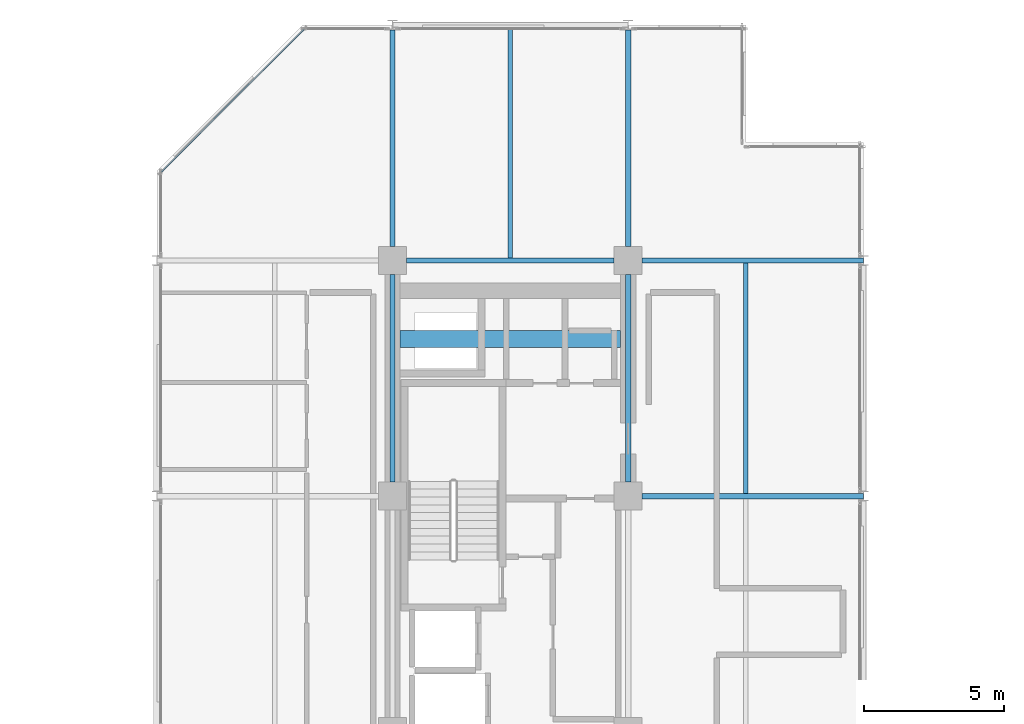
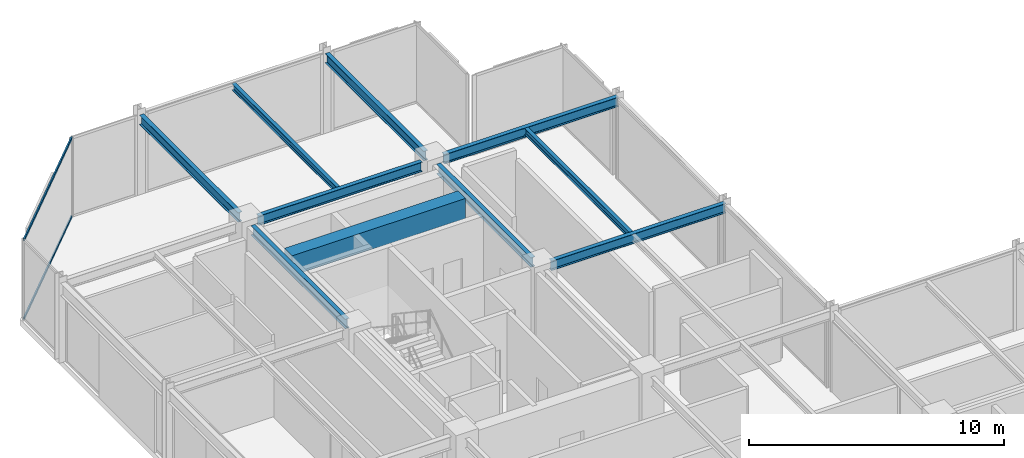
# One storey, part 18 of 29: 10 beams, 2 members, 1 element without a shape of its own.
"""IFC4 building model written with IfcOpenShell, lengths in metres."""

from ifc_helpers import new_model, si_unit, direction, frame, origin, origin_2d, place, context, subcontext, project, spatial, rectangle, hollow_rectangle, i_section, extrude, material, layer, layer_set, material_profile, profile_set, type_object, element, aggregate, save


model = new_model("IFC4")

# Units and contexts
model_context = context("Model", 3, precision=1e-05, world=origin(), true_north=direction((0.0, 1.0)))
body_context = subcontext(model_context, "Body", "Model", "MODEL_VIEW")
ifc_project = project(units=[si_unit("LENGTHUNIT", "METRE"), si_unit("AREAUNIT", "SQUARE_METRE"), si_unit("VOLUMEUNIT", "CUBIC_METRE"), si_unit("PLANEANGLEUNIT", "RADIAN"), si_unit("MASSUNIT", "GRAM", prefix="KILO")], contexts=[model_context])

# Site, building, storey
site_placement = place(None, origin())
site = spatial("IfcSite", under=ifc_project, at=site_placement, CompositionType="ELEMENT")
building_placement = place(site_placement, origin())
building = spatial("IfcBuilding", under=site, at=building_placement, Name="Nerrivon Quay Data Exchange", CompositionType="ELEMENT")
storey_placement = place(building_placement, frame((0.0, 0.0, 183.699951171875)))
storey = spatial("IfcBuildingStorey", under=building, at=storey_placement, Name="L43", CompositionType="ELEMENT", Elevation=183.699951171875)

# Beams
ifc_material_1 = material(Name="Concrete N50 (50 MPa)", Category="concrete")
ifc_material_profile_1 = material_profile(ifc_material_1, rectangle(XDim=0.60009765625, YDim=0.949951171875, at=origin_2d()), Name="RC-CB-600x950")
ifc_profile_set_1 = profile_set([ifc_material_profile_1], Name="Concrete N50 (50 MPa)")
beam_type_1 = type_object("IfcBeamType", Name="BM-CB2-600x950", PredefinedType="LINTEL", material=ifc_profile_set_1)
beam_1_placement = place(storey_placement, frame((8.675048828125, 39.199951171875, 3.35009765625), z_axis=(1.0, 0.0, 0.0), x_axis=(0.0, 1.0, 0.0)))
element("IfcBeam", 1, at=beam_1_placement, inside=storey, type_object=beam_type_1, Name="L43 West Core Coupling Beam", PredefinedType="LINTEL", context=body_context, shape_type="SweptSolid", body=[
    extrude(rectangle(XDim=0.60009765625, YDim=0.949951171875, at=origin_2d()), origin(), (0.0, 0.0, 1.0), 7.849853515625),
])
ifc_material_2 = material(Name="Steel Grade 350", Category="steel")
ifc_material_profile_2 = material_profile(ifc_material_2, i_section(OverallWidth=0.19091796875, OverallDepth=0.4599609375, WebThickness=0.010009765625, FlangeThickness=0.01611328125, FilletRadius=0.011474609375, at=origin_2d()), Name="460UB82.1")
ifc_profile_set_2 = profile_set([ifc_material_profile_2], Name="Steel Grade 350")
beam_type_2 = type_object("IfcBeamType", Name="BM-G5-460UB82", PredefinedType="BEAM", material=ifc_profile_set_2)
beam_2_placement = place(storey_placement, frame((17.300048828125, 33.60009765625, 3.594970703125), z_axis=(1.0, 0.0, 0.0), x_axis=(0.0, 1.0, 0.0)))
element("IfcBeam", 2, at=beam_2_placement, inside=storey, type_object=beam_type_2, Name="L43 EW Girder Y=33.6 (16.8..25.2)", PredefinedType="BEAM", context=body_context, shape_type="SweptSolid", body=[
    extrude(i_section(OverallWidth=0.19091796875, OverallDepth=0.4599609375, WebThickness=0.010009765625, FlangeThickness=0.01611328125, FilletRadius=0.011474609375, at=origin_2d()), origin(), (0.0, 0.0, 1.0), 7.889892578125),
])
beam_3_placement = place(storey_placement, frame((8.89990234375, 42.0, 3.594970703125), z_axis=(1.0, 0.0, 0.0), x_axis=(0.0, 1.0, 0.0)))
element("IfcBeam", 3, at=beam_3_placement, inside=storey, type_object=beam_type_2, Name="L43 EW Girder Y=42.0 (8.4..16.8)", PredefinedType="BEAM", context=body_context, shape_type="SweptSolid", body=[
    extrude(i_section(OverallWidth=0.19091796875, OverallDepth=0.4599609375, WebThickness=0.010009765625, FlangeThickness=0.01611328125, FilletRadius=0.011474609375, at=origin_2d()), origin(), (0.0, 0.0, 1.0), 7.400146484375),
])
beam_4_placement = place(storey_placement, frame((17.300048828125, 42.0, 3.594970703125), z_axis=(1.0, 0.0, 0.0), x_axis=(0.0, 1.0, 0.0)))
element("IfcBeam", 4, at=beam_4_placement, inside=storey, type_object=beam_type_2, Name="L43 EW Girder Y=42.0 (16.8..25.2)", PredefinedType="BEAM", context=body_context, shape_type="SweptSolid", body=[
    extrude(i_section(OverallWidth=0.19091796875, OverallDepth=0.4599609375, WebThickness=0.010009765625, FlangeThickness=0.01611328125, FilletRadius=0.011474609375, at=origin_2d()), origin(), (0.0, 0.0, 1.0), 7.889892578125),
])
ifc_material_profile_3 = material_profile(ifc_material_2, i_section(OverallWidth=0.18994140625, OverallDepth=0.4541015625, WebThickness=0.008544921875, FlangeThickness=0.0126953125, FilletRadius=0.011474609375, at=origin_2d()), Name="460UB67.1")
ifc_profile_set_3 = profile_set([ifc_material_profile_3], Name="Steel Grade 350")
beam_type_3 = type_object("IfcBeamType", Name="BM-G6-460UB67", PredefinedType="BEAM", material=ifc_profile_set_3)
beam_5_placement = place(storey_placement, frame((8.39990234375, 34.10009765625, 3.59814453125), z_axis=(0.0, 1.0, 0.0), x_axis=(-1.0, 0.0, 0.0)))
element("IfcBeam", 5, at=beam_5_placement, inside=storey, type_object=beam_type_3, Name="L43 NS Girder X=8.4 (33.6..42.0)", PredefinedType="BEAM", context=body_context, shape_type="SweptSolid", body=[
    extrude(i_section(OverallWidth=0.18994140625, OverallDepth=0.4541015625, WebThickness=0.008544921875, FlangeThickness=0.0126953125, FilletRadius=0.011474609375, at=origin_2d()), origin(), (0.0, 0.0, 1.0), 7.39990234375),
])
beam_6_placement = place(storey_placement, frame((8.39990234375, 42.5, 3.59814453125), z_axis=(0.0, 1.0, 0.0), x_axis=(-1.0, 0.0, 0.0)))
element("IfcBeam", 6, at=beam_6_placement, inside=storey, type_object=beam_type_3, Name="L43 NS Girder X=8.4 (42.0..50.4)", PredefinedType="BEAM", context=body_context, shape_type="SweptSolid", body=[
    extrude(i_section(OverallWidth=0.18994140625, OverallDepth=0.4541015625, WebThickness=0.008544921875, FlangeThickness=0.0126953125, FilletRadius=0.011474609375, at=origin_2d()), origin(), (0.0, 0.0, 1.0), 7.72509765625),
])
beam_7_placement = place(storey_placement, frame((16.800048828125, 34.10009765625, 3.59814453125), z_axis=(0.0, 1.0, 0.0), x_axis=(-1.0, 0.0, 0.0)))
element("IfcBeam", 7, at=beam_7_placement, inside=storey, type_object=beam_type_3, Name="L43 NS Girder X=16.8 (33.6..42.0)", PredefinedType="BEAM", context=body_context, shape_type="SweptSolid", body=[
    extrude(i_section(OverallWidth=0.18994140625, OverallDepth=0.4541015625, WebThickness=0.008544921875, FlangeThickness=0.0126953125, FilletRadius=0.011474609375, at=origin_2d()), origin(), (0.0, 0.0, 1.0), 7.39990234375),
])
beam_8_placement = place(storey_placement, frame((16.800048828125, 42.5, 3.59814453125), z_axis=(0.0, 1.0, 0.0), x_axis=(-1.0, 0.0, 0.0)))
element("IfcBeam", 8, at=beam_8_placement, inside=storey, type_object=beam_type_3, Name="L43 NS Girder X=16.8 (42.0..50.4)", PredefinedType="BEAM", context=body_context, shape_type="SweptSolid", body=[
    extrude(i_section(OverallWidth=0.18994140625, OverallDepth=0.4541015625, WebThickness=0.008544921875, FlangeThickness=0.0126953125, FilletRadius=0.011474609375, at=origin_2d()), origin(), (0.0, 0.0, 1.0), 7.72509765625),
])
ifc_material_profile_4 = material_profile(ifc_material_2, i_section(OverallWidth=0.166015625, OverallDepth=0.306884765625, WebThickness=0.006591796875, FlangeThickness=0.01171875, FilletRadius=0.011474609375, at=origin_2d()), Name="310UB46.2")
ifc_profile_set_4 = profile_set([ifc_material_profile_4], Name="Steel Grade 350")
beam_type_4 = type_object("IfcBeamType", Name="BM-J5-310UB46", PredefinedType="JOIST", material=ifc_profile_set_4)
beam_9_placement = place(storey_placement, frame((12.60009765625, 42.095458984375, 3.671630859375), z_axis=(0.0, 1.0, 0.0), x_axis=(-1.0, 0.0, 0.0)))
element("IfcBeam", 9, at=beam_9_placement, inside=storey, type_object=beam_type_4, Name="L43 Secondary Joist X=12.6 (42.0..50.4)", PredefinedType="JOIST", context=body_context, shape_type="SweptSolid", body=[
    extrude(i_section(OverallWidth=0.166015625, OverallDepth=0.306884765625, WebThickness=0.006591796875, FlangeThickness=0.01171875, FilletRadius=0.011474609375, at=origin_2d()), origin(), (0.0, 0.0, 1.0), 8.20458984375),
])
beam_10_placement = place(storey_placement, frame((21.0, 33.695556640625, 3.671630859375), z_axis=(0.0, 1.0, 0.0), x_axis=(-1.0, 0.0, 0.0)))
element("IfcBeam", 10, at=beam_10_placement, inside=storey, type_object=beam_type_4, Name="L43 Secondary Joist X=21.0 (33.6..42.0)", PredefinedType="JOIST", context=body_context, shape_type="SweptSolid", body=[
    extrude(i_section(OverallWidth=0.166015625, OverallDepth=0.306884765625, WebThickness=0.006591796875, FlangeThickness=0.01171875, FilletRadius=0.011474609375, at=origin_2d()), origin(), (0.0, 0.0, 1.0), 8.208984375),
])

# Curtain wall, members
ifc_material_3 = material(Name="Anodised aluminium 6063-T6", Category="aluminium")
ifc_layer = layer(ifc_material_3, 0.195068359375)
ifc_layer_set = layer_set([ifc_layer], Name="Anodised aluminium 6063-T6")
curtain_wall_type = type_object("IfcCurtainWallType", Name="CW-SYS-06", PredefinedType="NOTDEFINED", material=ifc_layer_set)
curtain_wall_placement = place(storey_placement, origin())
curtain_wall = element("IfcCurtainWall", 11, at=curtain_wall_placement, inside=storey, type_object=curtain_wall_type, Name="L43 Unitised Curtain Wall 7", PredefinedType="NOTDEFINED")
ifc_material_profile_5 = material_profile(ifc_material_3, hollow_rectangle(XDim=0.06005859375, YDim=0.1201171875, WallThickness=0.003173828125, at=origin_2d()), Name="ALU-TRAN-120x60")
ifc_profile_set_5 = profile_set([ifc_material_profile_5], Name="Anodised aluminium 6063-T6")
member_type = type_object("IfcMemberType", Name="CWT-120x60", PredefinedType="USERDEFINED", material=ifc_profile_set_5)
member_1_placement = place(storey_placement, frame((0.152099609375, 45.154052734375, 0.032470703125), z_axis=(0.707089835771, 0.707123726196, 0.0), x_axis=(-0.707123726196, 0.707089835771, 0.0)))
member_1 = element("IfcMember", 12, at=member_1_placement, type_object=member_type, Name="CW06 transom 1.1", ObjectType="TRANSOM", PredefinedType="USERDEFINED", context=body_context, shape_type="SweptSolid", body=[
    extrude(hollow_rectangle(XDim=0.06005859375, YDim=0.1201171875, WallThickness=0.003173828125, at=origin_2d()), origin(), (0.0, 0.0, 1.0), 7.203857421875),
])
member_2_placement = place(storey_placement, frame((0.152099609375, 45.154052734375, 3.79248046875), z_axis=(0.707089835771, 0.707123726196, 0.0), x_axis=(-0.707123726196, 0.707089835771, 0.0)))
member_2 = element("IfcMember", 13, at=member_2_placement, type_object=member_type, Name="CW06 transom 1.2", ObjectType="TRANSOM", PredefinedType="USERDEFINED", context=body_context, shape_type="SweptSolid", body=[
    extrude(hollow_rectangle(XDim=0.06005859375, YDim=0.1201171875, WallThickness=0.003173828125, at=origin_2d()), origin(), (0.0, 0.0, 1.0), 7.203857421875),
])
aggregate(curtain_wall, [member_1, member_2])

save(model, "model.ifc")
